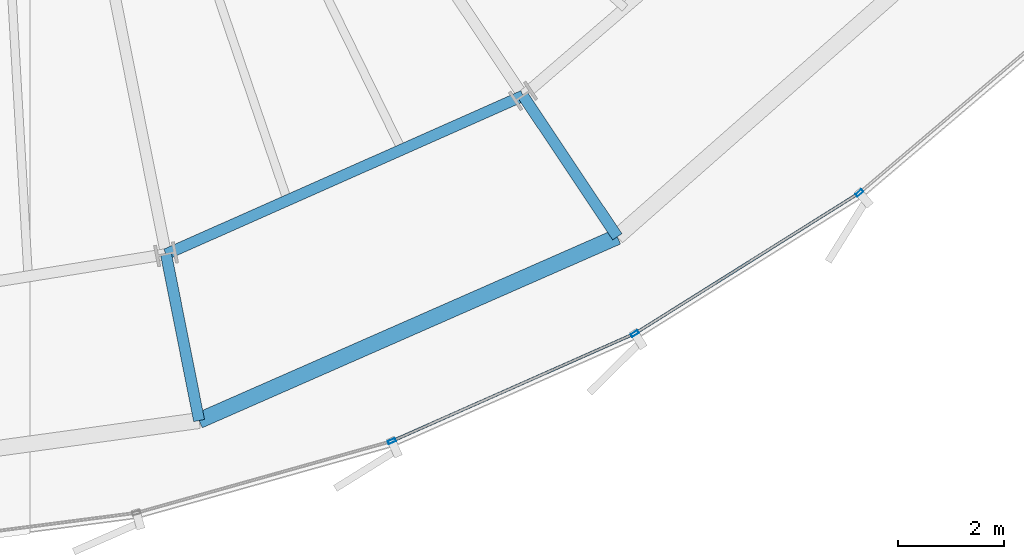
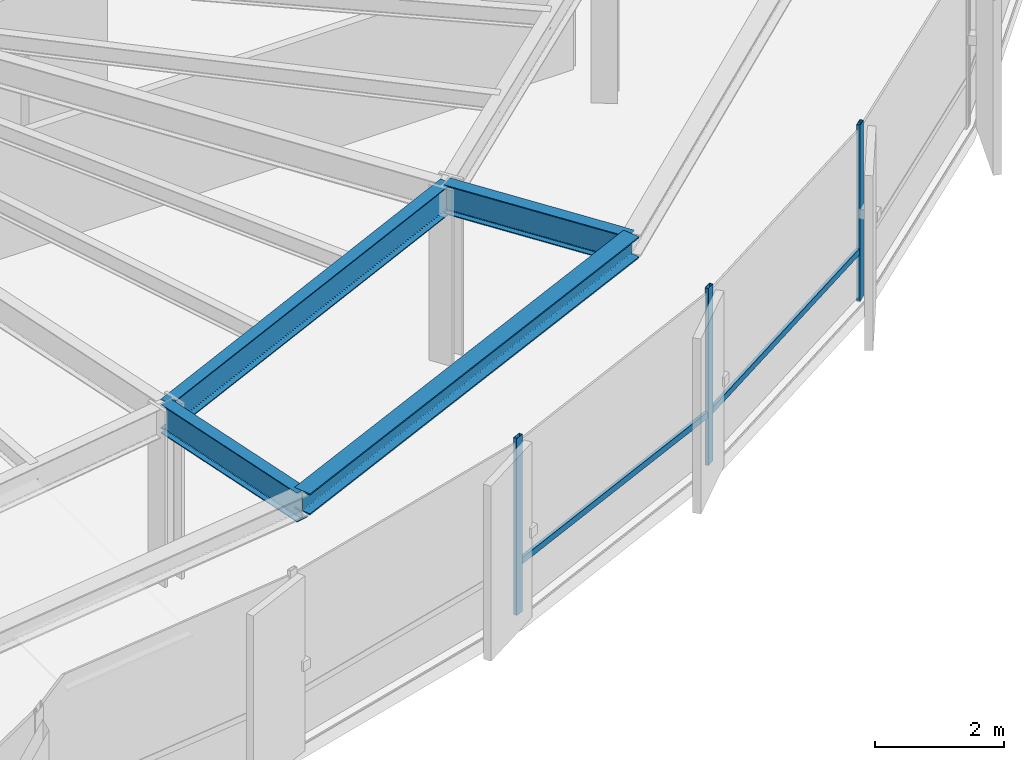
# One storey, part 12 of 33: 5 members, 4 beams, 1 element without a shape of its own.
"""IFC4 building model written with IfcOpenShell, lengths in metres."""

from ifc_helpers import new_model, si_unit, direction, frame, origin, origin_2d, place, context, subcontext, project, spatial, hollow_rectangle, i_section, extrude, source, transform, mapped, material, layer, layer_set, material_profile, profile_set, type_object, element, aggregate, save


model = new_model("IFC4")

# Units and contexts
model_context = context("Model", 3, precision=1e-05, world=origin(), true_north=direction((0.0, 1.0)))
body_context = subcontext(model_context, "Body", "Model", "MODEL_VIEW")
ifc_project = project(units=[si_unit("LENGTHUNIT", "METRE"), si_unit("AREAUNIT", "SQUARE_METRE"), si_unit("VOLUMEUNIT", "CUBIC_METRE"), si_unit("PLANEANGLEUNIT", "RADIAN"), si_unit("MASSUNIT", "GRAM", prefix="KILO"), si_unit("THERMODYNAMICTEMPERATUREUNIT", "KELVIN")], contexts=[model_context])

# Site, building, storey
site_placement = place(None, origin())
site = spatial("IfcSite", under=ifc_project, at=site_placement, CompositionType="ELEMENT")
building_placement = place(site_placement, origin())
building = spatial("IfcBuilding", under=site, at=building_placement, Name="Kethvar Cultural Tower", CompositionType="ELEMENT")
storey_placement = place(building_placement, frame((0.0, 0.0, 114.39990234375)))
storey = spatial("IfcBuildingStorey", under=building, at=storey_placement, Name="L28", CompositionType="ELEMENT", Elevation=114.39990234375)

# Beams
ifc_material_1 = material(Name="Steel S355J2", Category="steel")
ifc_material_profile_1 = material_profile(ifc_material_1, i_section(OverallWidth=0.2099609375, OverallDepth=0.550048828125, WebThickness=0.010986328125, FlangeThickness=0.01708984375, FilletRadius=0.02392578125, at=origin_2d()), Name="Steel S355J2 — IPE550")
ifc_profile_set_1 = profile_set([ifc_material_profile_1], Name="Steel S355J2 — IPE550")
beam_type_1 = type_object("IfcBeamType", Name="BM-IPE550", PredefinedType="BEAM", material=ifc_profile_set_1)
shared_shape_1 = source(origin(), body_context, "Body", "SweptSolid", [
    extrude(i_section(OverallWidth=0.2099609375, OverallDepth=0.550048828125, WebThickness=0.010986328125, FlangeThickness=0.01708984375, FilletRadius=0.02392578125, at=origin_2d()), origin(), (0.0, 0.0, 1.0), 3.199951171875),
])
beam_1_placement = place(storey_placement, frame((57.241943359375, 12.17236328125, 3.072998046875), z_axis=(0.555580212716, -0.831462943996, 0.0), x_axis=(0.831462943996, 0.555580212716, 0.0)))
element("IfcBeam", 1, at=beam_1_placement, inside=storey, type_object=beam_type_1, Name="L28 Perimeter Cantilever Beam RC-14", PredefinedType="BEAM", context=body_context, shape_type="MappedRepresentation", body=[
    mapped(shared_shape_1, transform((0.0, 0.0, 0.0), scale=1.0)),
])
shared_shape_2 = source(origin(), body_context, "Body", "SweptSolid", [
    extrude(i_section(OverallWidth=0.2099609375, OverallDepth=0.550048828125, WebThickness=0.010986328125, FlangeThickness=0.01708984375, FilletRadius=0.02392578125, at=origin_2d()), origin(), (0.0, 0.0, 1.0), 3.2001953125),
])
beam_2_placement = place(storey_placement, frame((50.50341796875, 9.182373046875, 3.072998046875), z_axis=(0.195074368086, -0.980788453702, 0.0), x_axis=(0.980788453702, 0.195074368086, 0.0)))
element("IfcBeam", 2, at=beam_2_placement, inside=storey, type_object=beam_type_1, Name="L28 Perimeter Cantilever Beam RC-13", PredefinedType="BEAM", context=body_context, shape_type="MappedRepresentation", body=[
    mapped(shared_shape_2, transform((0.0, 0.0, 0.0), scale=1.0)),
])
shared_shape_3 = source(origin(), body_context, "Body", "SweptSolid", [
    extrude(i_section(OverallWidth=0.2099609375, OverallDepth=0.550048828125, WebThickness=0.010986328125, FlangeThickness=0.01708984375, FilletRadius=0.02392578125, at=origin_2d()), origin(), (0.0, 0.0, 1.0), 7.3720703125),
])
beam_3_placement = place(storey_placement, frame((50.50341796875, 9.182373046875, 3.072998046875), z_axis=(0.914058560918, 0.405582232367, 0.0), x_axis=(-0.405582232367, 0.914058560918, 0.0)))
element("IfcBeam", 3, at=beam_3_placement, inside=storey, type_object=beam_type_1, Name="L28 Column Ring Tie Beam CR-13", PredefinedType="BEAM", context=body_context, shape_type="MappedRepresentation", body=[
    mapped(shared_shape_3, transform((0.0, 0.0, 0.0), scale=1.0)),
])
ifc_material_profile_2 = material_profile(ifc_material_1, i_section(OverallWidth=0.300048828125, OverallDepth=0.39990234375, WebThickness=0.013427734375, FlangeThickness=0.02392578125, FilletRadius=0.027099609375, at=origin_2d()), Name="Steel S355J2 — HEB400")
ifc_profile_set_2 = profile_set([ifc_material_profile_2], Name="Steel S355J2 — HEB400")
beam_type_2 = type_object("IfcBeamType", Name="BM-SP400", PredefinedType="SPANDREL", material=ifc_profile_set_2)
shared_shape_4 = source(origin(), body_context, "Body", "SweptSolid", [
    extrude(i_section(OverallWidth=0.300048828125, OverallDepth=0.39990234375, WebThickness=0.013427734375, FlangeThickness=0.02392578125, FilletRadius=0.027099609375, at=origin_2d()), origin(), (0.0, 0.0, 1.0), 8.620361328125),
])
beam_4_placement = place(storey_placement, frame((51.127685546875, 6.043701171875, 3.148193359375), z_axis=(0.915507442902, 0.402301034041, 0.0), x_axis=(-0.402301034041, 0.915507442902, 0.0)))
element("IfcBeam", 4, at=beam_4_placement, inside=storey, type_object=beam_type_2, Name="L28 Perimeter Spandrel Beam SP-13", PredefinedType="SPANDREL", context=body_context, shape_type="MappedRepresentation", body=[
    mapped(shared_shape_4, transform((0.0, 0.0, 0.0), scale=1.0)),
])

# Curtain wall, members
ifc_material_2 = material(Name="Aluminium 6063-T6", Category="aluminium")
ifc_layer = layer(ifc_material_2, 0.179931640625, Name="Aluminium 6063-T6", Category="aluminium")
ifc_layer_set = layer_set([ifc_layer], Name="Aluminium 6063-T6 (180 mm)")
curtain_wall_type = type_object("IfcCurtainWallType", Name="CW-SYS-03-Z2", PredefinedType="NOTDEFINED", material=ifc_layer_set)
curtain_wall_placement = place(storey_placement, origin())
curtain_wall = element("IfcCurtainWall", 5, at=curtain_wall_placement, inside=storey, type_object=curtain_wall_type, Name="L28 Curtain Wall Run 05", PredefinedType="NOTDEFINED")
ifc_material_profile_3 = material_profile(ifc_material_2, hollow_rectangle(XDim=0.06005859375, YDim=0.14990234375, WallThickness=0.0048828125, at=origin_2d()), Name="Aluminium 6063-T6 — RHS150x60x5")
ifc_profile_set_3 = profile_set([ifc_material_profile_3], Name="Aluminium 6063-T6 — RHS150x60x5")
member_type_1 = type_object("IfcMemberType", Name="CW-SYS-03-Z2-MUL", PredefinedType="MULLION", material=ifc_profile_set_3)
shared_shape_5 = source(origin(), body_context, "Body", "SweptSolid", [
    extrude(hollow_rectangle(XDim=0.06005859375, YDim=0.14990234375, WallThickness=0.0048828125, at=origin_2d()), origin(), (0.0, 0.0, 1.0), 3.35009765625),
])
member_1_placement = place(storey_placement, frame((54.764404296875, 5.65380859375, 0.0), z_axis=(0.0, 0.0, 1.0), x_axis=(-0.405045844108, 0.914296376549, 0.0)))
member_1 = element("IfcMember", 6, at=member_1_placement, type_object=member_type_1, Name="CW-L28-R05 Mullion 4", PredefinedType="MULLION", context=body_context, shape_type="MappedRepresentation", body=[
    mapped(shared_shape_5, transform((0.0, 0.0, 0.0), scale=1.0)),
])
member_2_placement = place(storey_placement, frame((59.35107421875, 7.6845703125, 0.0), z_axis=(0.0, 0.0, 1.0), x_axis=(-0.531102845816, 0.847307362866, 0.0)))
member_2 = element("IfcMember", 7, at=member_2_placement, type_object=member_type_1, Name="CW-L28-R05 Mullion 5", PredefinedType="MULLION", context=body_context, shape_type="MappedRepresentation", body=[
    mapped(shared_shape_5, transform((0.0, 0.0, 0.0), scale=1.0)),
])
member_3_placement = place(storey_placement, frame((63.58837890625, 10.339111328125, 0.0), z_axis=(0.0, 0.0, 1.0), x_axis=(-0.647614687225, 0.761967989414, 0.0)))
member_3 = element("IfcMember", 8, at=member_3_placement, type_object=member_type_1, Name="CW-L28-R05 Mullion 6", PredefinedType="MULLION", context=body_context, shape_type="MappedRepresentation", body=[
    mapped(shared_shape_5, transform((0.0, 0.0, 0.0), scale=1.0)),
])
ifc_material_profile_4 = material_profile(ifc_material_2, hollow_rectangle(XDim=0.054931640625, YDim=0.1201171875, WallThickness=0.00390625, at=origin_2d()), Name="Aluminium 6063-T6 — RHS120x55x4")
ifc_profile_set_4 = profile_set([ifc_material_profile_4], Name="Aluminium 6063-T6 — RHS120x55x4")
member_type_2 = type_object("IfcMemberType", Name="CW-SYS-03-Z2-TRN", PredefinedType="USERDEFINED", material=ifc_profile_set_4)
shared_shape_6 = source(origin(), body_context, "Body", "SweptSolid", [
    extrude(hollow_rectangle(XDim=0.054931640625, YDim=0.1201171875, WallThickness=0.00390625, at=origin_2d()), origin(), (0.0, 0.0, 1.0), 4.946044921875),
])
member_4_placement = place(storey_placement, frame((54.8037109375, 5.67138671875, 0.9501953125), z_axis=(0.914295338995, 0.405048186136, 0.0), x_axis=(-0.405048186136, 0.914295338995, 0.0)))
member_4 = element("IfcMember", 9, at=member_4_placement, type_object=member_type_2, Name="CW-L28-R05 Transom 4", ObjectType="TRANSOM", PredefinedType="USERDEFINED", context=body_context, shape_type="MappedRepresentation", body=[
    mapped(shared_shape_6, transform((0.0, 0.0, 0.0), scale=1.0)),
])
shared_shape_7 = source(origin(), body_context, "Body", "SweptSolid", [
    extrude(hollow_rectangle(XDim=0.054931640625, YDim=0.1201171875, WallThickness=0.00390625, at=origin_2d()), origin(), (0.0, 0.0, 1.0), 4.93017578125),
])
member_5_placement = place(storey_placement, frame((59.3876953125, 7.70751953125, 0.9501953125), z_axis=(0.847316023938, 0.53108902792, 0.0), x_axis=(-0.53108902792, 0.847316023938, 0.0)))
member_5 = element("IfcMember", 10, at=member_5_placement, type_object=member_type_2, Name="CW-L28-R05 Transom 5", ObjectType="TRANSOM", PredefinedType="USERDEFINED", context=body_context, shape_type="MappedRepresentation", body=[
    mapped(shared_shape_7, transform((0.0, 0.0, 0.0), scale=1.0)),
])
aggregate(curtain_wall, [member_1, member_2, member_3, member_4, member_5])

save(model, "model.ifc")
